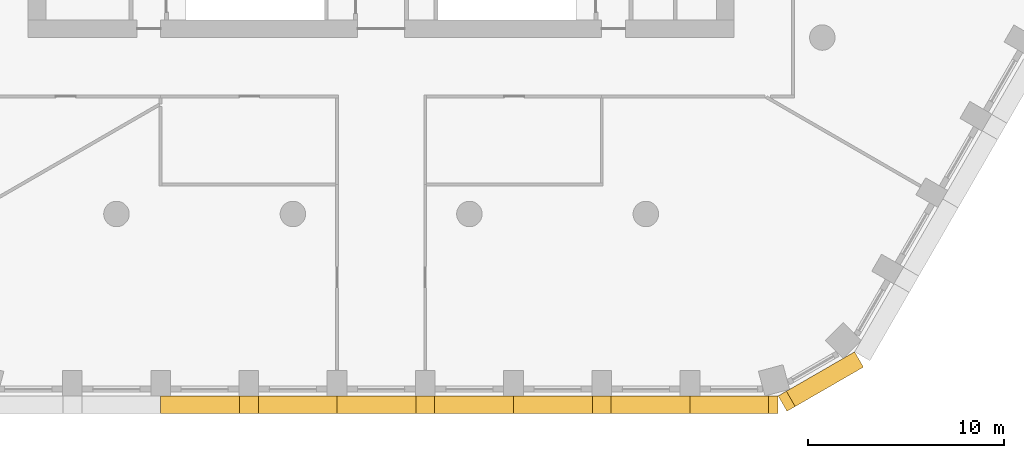
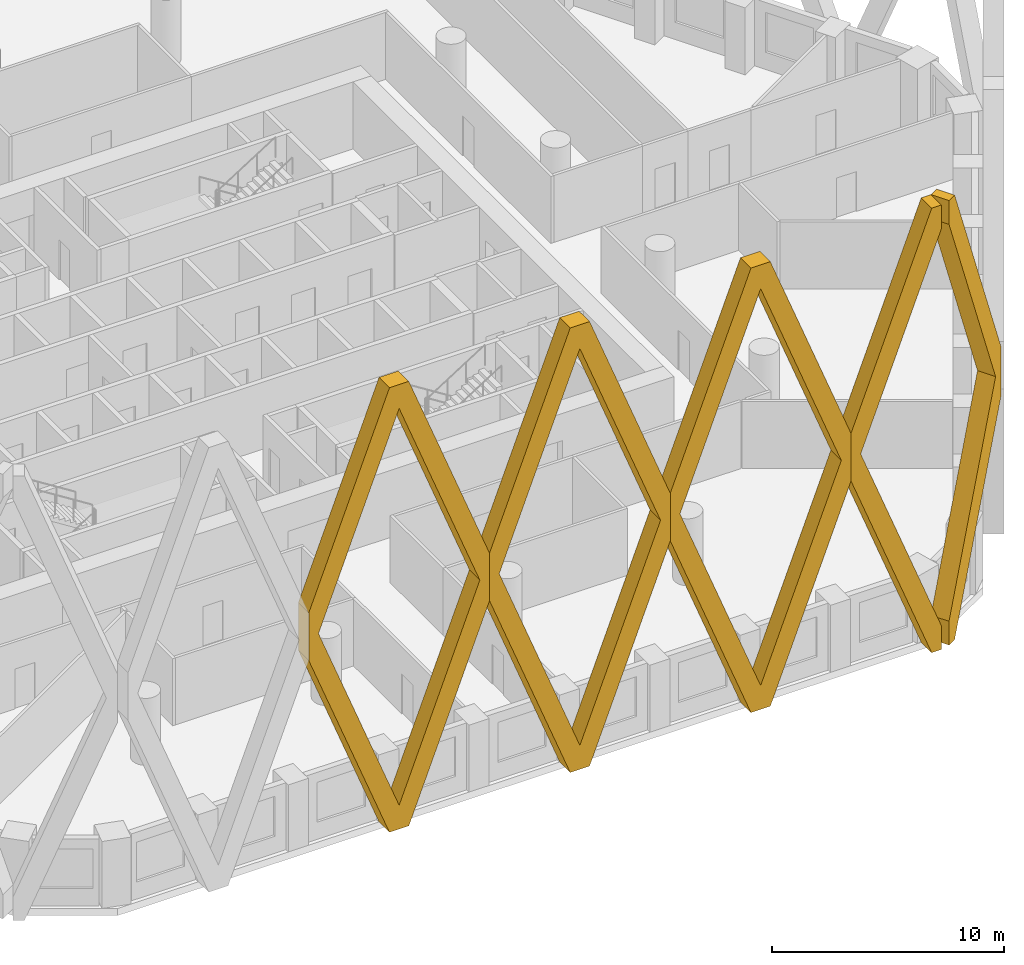
# One storey, part 12 of 18: 5 coverings.
"""IFC4 building model written with IfcOpenShell, lengths in metres."""

from ifc_helpers import new_model, si_unit, direction, frame, origin, place, context, subcontext, project, spatial, polyline, outline, extrude, material, type_object, element, save


model = new_model("IFC4")

# Units and contexts
model_context = context("Model", 3, precision=1e-05, world=origin(), true_north=direction((0.0, 1.0)))
body_context = subcontext(model_context, "Body", "Model", "MODEL_VIEW")
ifc_project = project(units=[si_unit("LENGTHUNIT", "METRE"), si_unit("AREAUNIT", "SQUARE_METRE"), si_unit("VOLUMEUNIT", "CUBIC_METRE"), si_unit("PLANEANGLEUNIT", "RADIAN"), si_unit("MASSUNIT", "GRAM", prefix="KILO")], contexts=[model_context])

# Site, building, storey
site_placement = place(None, origin())
site = spatial("IfcSite", under=ifc_project, at=site_placement, CompositionType="ELEMENT")
building_placement = place(site_placement, origin())
building = spatial("IfcBuilding", under=site, at=building_placement, Name="Dhurran Vertical Campus", CompositionType="ELEMENT")
storey_placement = place(building_placement, frame((0.0, 0.0, 81.300048828125)))
storey = spatial("IfcBuildingStorey", under=building, at=storey_placement, Name="L19", CompositionType="ELEMENT", Elevation=81.300048828125)

# Coverings
ifc_material = material(Name="Precast concrete C50/60", Category="concrete")
covering_type = type_object("IfcCoveringType", Name="Folded precast fin lattice diamond", PredefinedType="USERDEFINED", material=ifc_material)
for number, where, z_axis, x_axis, name in (
    (1, (-11.25, -31.77978515625, 0.0), (0.0, -1.0, 0.0), (1.0, 0.0, 0.0), "FN1 L19.002"),
    (2, (-2.25, -31.77978515625, 0.0), (0.0, -1.0, 0.0), (1.0, 0.0, 0.0), "FN1 L19.003"),
    (3, (6.75, -31.77978515625, 0.0), (0.0, -1.0, 0.0), (1.0, 0.0, 0.0), "FN1 L19.004"),
):
    element("IfcCovering", number, at=place(storey_placement, frame(where, z_axis=z_axis, x_axis=x_axis)), inside=storey, type_object=covering_type, Name=name, ObjectType="FIN", PredefinedType="USERDEFINED", context=body_context, shape_type="SweptSolid", body=[
        extrude(outline(polyline([(9.0, 12.95361328125), (9.0, 10.4462890625), (4.982177734375, 0.0), (4.017822265625, 0.0), (0.0, 10.4462890625), (0.0, 12.95361328125), (4.017822265625, 23.39990234375), (4.982177734375, 23.39990234375), (9.0, 12.95361328125)]), holes=[polyline([(8.517822265625, 11.699951171875), (4.5, 22.146484375), (0.482177734375, 11.699951171875), (4.5, 1.253662109375), (8.517822265625, 11.699951171875)])]), origin(), (0.0, 0.0, 1.0), 0.89990234375),
    ])
covering_1_placement = place(storey_placement, frame((15.75, -31.77978515625, 0.0), z_axis=(0.0, -1.0, 0.0), x_axis=(1.0, 0.0, 0.0)))
element("IfcCovering", 4, at=covering_1_placement, inside=storey, type_object=covering_type, Name="FN1 L19.005", ObjectType="FIN", PredefinedType="USERDEFINED", context=body_context, shape_type="SweptSolid", body=[
    extrude(outline(polyline([(4.017822265625, 0.0), (0.0, 10.4462890625), (0.0, 12.95361328125), (4.017822265625, 23.39990234375), (4.5, 23.39990234375), (4.5, 22.146484375), (0.482177734375, 11.699951171875), (4.5, 1.253662109375), (4.5, 0.0), (4.017822265625, 0.0)])), origin(), (0.0, 0.0, 1.0), 0.89990234375),
])
covering_2_placement = place(storey_placement, frame((20.25, -31.77978515625, 0.0), z_axis=(0.50001992892, -0.866013897511, 0.0), x_axis=(0.866013897511, 0.50001992892, 0.0)))
element("IfcCovering", 5, at=covering_2_placement, inside=storey, type_object=covering_type, Name="FN1 L19.006", ObjectType="FIN", PredefinedType="USERDEFINED", context=body_context, shape_type="SweptSolid", body=[
    extrude(outline(polyline([(4.5, 10.4462890625), (0.482177734375, 0.0), (0.0, 0.0), (0.0, 1.253662109375), (4.017822265625, 11.699951171875), (0.0, 22.146484375), (0.0, 23.39990234375), (0.482177734375, 23.39990234375), (4.5, 12.95361328125), (4.5, 10.4462890625)])), origin(), (0.0, 0.0, 1.0), 0.89990234375),
])

save(model, "model.ifc")
